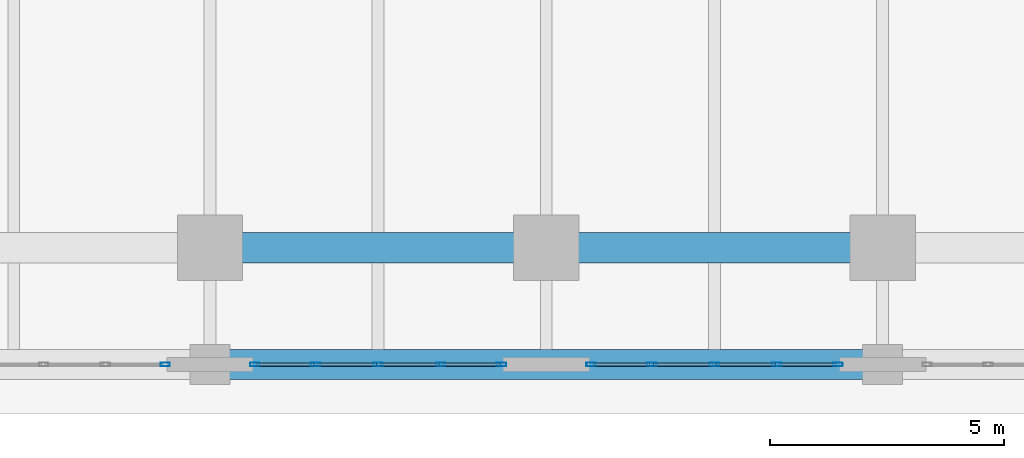
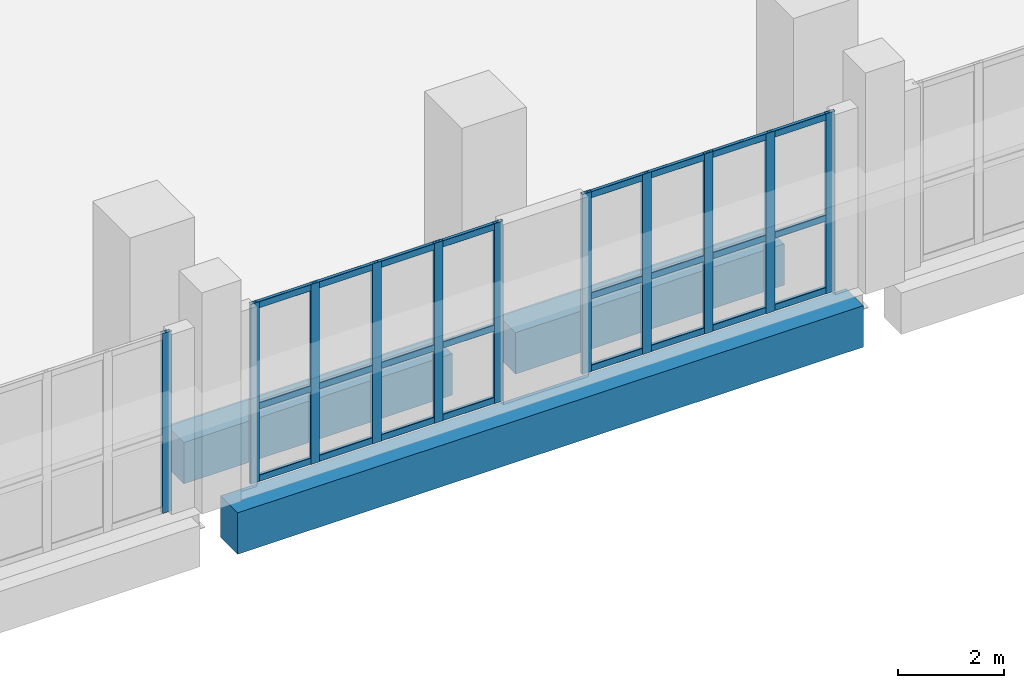
# One storey, part 11 of 25: 35 members, 3 beams, 3 elements without a shape of their own.
"""IFC4 building model written with IfcOpenShell, lengths in metres."""

from ifc_helpers import new_model, si_unit, direction, frame, origin, origin_2d, place, context, subcontext, project, spatial, rectangle, hollow_rectangle, extrude, material, layer, layer_set, material_profile, profile_set, type_object, element, aggregate, save


model = new_model("IFC4")

# Units and contexts
model_context = context("Model", 3, precision=1e-05, world=origin(), true_north=direction((0.0, 1.0)))
body_context = subcontext(model_context, "Body", "Model", "MODEL_VIEW")
ifc_project = project(units=[si_unit("LENGTHUNIT", "METRE"), si_unit("AREAUNIT", "SQUARE_METRE"), si_unit("VOLUMEUNIT", "CUBIC_METRE"), si_unit("PLANEANGLEUNIT", "RADIAN"), si_unit("MASSUNIT", "GRAM", prefix="KILO")], contexts=[model_context])

# Site, building, storey
site_placement = place(None, origin())
site = spatial("IfcSite", under=ifc_project, at=site_placement, CompositionType="ELEMENT")
building_placement = place(site_placement, origin())
building = spatial("IfcBuilding", under=site, at=building_placement, Name="Kaelvorn Grand Hotel", CompositionType="ELEMENT")
storey_placement = place(building_placement, frame((0.0, 0.0, 14.0)))
storey = spatial("IfcBuildingStorey", under=building, at=storey_placement, Name="L02", CompositionType="ELEMENT", Elevation=14.0)

# Beams
ifc_material_1 = material(Name="Concrete C60/75", Category="concrete")
ifc_material_profile_1 = material_profile(ifc_material_1, rectangle(XDim=0.64990234375, YDim=0.949951171875, at=origin_2d()), Name="RC SPANDREL 650x950")
ifc_profile_set_1 = profile_set([ifc_material_profile_1], Name="Concrete C60/75")
beam_type = type_object("IfcBeamType", Name="BM-SP-650x950-C60", PredefinedType="SPANDREL", material=ifc_profile_set_1)
beam_placement = place(storey_placement, frame((46.610107421875, -2.5, -0.794921875), z_axis=(1.0, 0.0, 0.0), x_axis=(0.0, 1.0, 0.0)))
element("IfcBeam", 1, at=beam_placement, inside=storey, type_object=beam_type, Name="L02 South Perimeter Spandrel 05", PredefinedType="SPANDREL", context=body_context, shape_type="SweptSolid", body=[
    extrude(rectangle(XDim=0.64990234375, YDim=0.949951171875, at=origin_2d()), origin(), (0.0, 0.0, 1.0), 13.579833984375),
])
for number, where, z_axis, x_axis, name in (
    (2, (46.885009765625, 0.0, -0.794921875), (1.0, 0.0, 0.0), (0.0, 1.0, 0.0), "L02 Tower Line South Girder 06"),
    (3, (54.0849609375, 0.0, -0.794921875), (1.0, 0.0, 0.0), (0.0, 1.0, 0.0), "L02 Tower Line South Girder 07"),
):
    element("IfcBeam", number, at=place(storey_placement, frame(where, z_axis=z_axis, x_axis=x_axis)), inside=storey, type_object=beam_type, Name=name, PredefinedType="SPANDREL", context=body_context, shape_type="SweptSolid", body=[
        extrude(rectangle(XDim=0.64990234375, YDim=0.949951171875, at=origin_2d()), origin(), (0.0, 0.0, 1.0), 5.830078125),
    ])

# Curtain wall, member
ifc_material_2 = material(Name="Anodised Aluminium", Category="aluminium")
ifc_layer = layer(ifc_material_2, 0.199951171875)
ifc_layer_set = layer_set([ifc_layer], Name="Anodised Aluminium")
curtain_wall_type = type_object("IfcCurtainWallType", Name="CW-SYS2", PredefinedType="NOTDEFINED", material=ifc_layer_set)
curtain_wall_1_placement = place(storey_placement, origin())
curtain_wall_1 = element("IfcCurtainWall", 4, at=curtain_wall_1_placement, inside=storey, type_object=curtain_wall_type, Name="L02 Unitised Curtain Wall CW2 (CW-L02-S-04)", PredefinedType="NOTDEFINED")
ifc_material_profile_2 = material_profile(ifc_material_2, hollow_rectangle(XDim=0.074951171875, YDim=0.199951171875, WallThickness=0.00390625, InnerFilletRadius=0.00390625, OuterFilletRadius=0.008056640625, at=origin_2d()), Name="ALU MULL 75x200")
ifc_profile_set_2 = profile_set([ifc_material_profile_2], Name="Anodised Aluminium")
member_type_1 = type_object("IfcMemberType", Name="CW-SYS2-MULL", PredefinedType="MULLION", material=ifc_profile_set_2)
member_1_placement = place(storey_placement, frame((45.242431640625, -2.5, 0.0), z_axis=(0.0, 0.0, 1.0), x_axis=(0.0, 1.0, 0.0)))
member_1 = element("IfcMember", 5, at=member_1_placement, type_object=member_type_1, Name="CW2 mullion 4", PredefinedType="MULLION", context=body_context, shape_type="SweptSolid", body=[
    extrude(hollow_rectangle(XDim=0.074951171875, YDim=0.199951171875, WallThickness=0.00390625, InnerFilletRadius=0.00390625, OuterFilletRadius=0.008056640625, at=origin_2d()), origin(), (0.0, 0.0, 1.0), 4.1298828125),
])
aggregate(curtain_wall_1, [member_1])

# Curtain wall, members
curtain_wall_2_placement = place(storey_placement, origin())
curtain_wall_2 = element("IfcCurtainWall", 6, at=curtain_wall_2_placement, inside=storey, type_object=curtain_wall_type, Name="L02 Unitised Curtain Wall CW2 (CW-L02-S-05)", PredefinedType="NOTDEFINED")
member_2_placement = place(storey_placement, frame((47.157470703125, -2.5, 0.0), z_axis=(0.0, 0.0, 1.0), x_axis=(0.0, 1.0, 0.0)))
member_2 = element("IfcMember", 7, at=member_2_placement, type_object=member_type_1, Name="CW2 mullion 1", PredefinedType="MULLION", context=body_context, shape_type="SweptSolid", body=[
    extrude(hollow_rectangle(XDim=0.074951171875, YDim=0.199951171875, WallThickness=0.00390625, InnerFilletRadius=0.00390625, OuterFilletRadius=0.008056640625, at=origin_2d()), origin(), (0.0, 0.0, 1.0), 4.1298828125),
])
member_3_placement = place(storey_placement, frame((48.4599609375, -2.5, 0.0), z_axis=(0.0, 0.0, 1.0), x_axis=(0.0, 1.0, 0.0)))
member_3 = element("IfcMember", 8, at=member_3_placement, type_object=member_type_1, Name="CW2 mullion 2", PredefinedType="MULLION", context=body_context, shape_type="SweptSolid", body=[
    extrude(hollow_rectangle(XDim=0.074951171875, YDim=0.199951171875, WallThickness=0.00390625, InnerFilletRadius=0.00390625, OuterFilletRadius=0.008056640625, at=origin_2d()), origin(), (0.0, 0.0, 1.0), 4.1298828125),
])
member_4_placement = place(storey_placement, frame((49.800048828125, -2.5, 0.0), z_axis=(0.0, 0.0, 1.0), x_axis=(0.0, 1.0, 0.0)))
member_4 = element("IfcMember", 9, at=member_4_placement, type_object=member_type_1, Name="CW2 mullion 3", PredefinedType="MULLION", context=body_context, shape_type="SweptSolid", body=[
    extrude(hollow_rectangle(XDim=0.074951171875, YDim=0.199951171875, WallThickness=0.00390625, InnerFilletRadius=0.00390625, OuterFilletRadius=0.008056640625, at=origin_2d()), origin(), (0.0, 0.0, 1.0), 4.1298828125),
])
member_5_placement = place(storey_placement, frame((51.139892578125, -2.5, 0.0), z_axis=(0.0, 0.0, 1.0), x_axis=(0.0, 1.0, 0.0)))
member_5 = element("IfcMember", 10, at=member_5_placement, type_object=member_type_1, Name="CW2 mullion 4", PredefinedType="MULLION", context=body_context, shape_type="SweptSolid", body=[
    extrude(hollow_rectangle(XDim=0.074951171875, YDim=0.199951171875, WallThickness=0.00390625, InnerFilletRadius=0.00390625, OuterFilletRadius=0.008056640625, at=origin_2d()), origin(), (0.0, 0.0, 1.0), 4.1298828125),
])
member_6_placement = place(storey_placement, frame((52.4423828125, -2.5, 0.0), z_axis=(0.0, 0.0, 1.0), x_axis=(0.0, 1.0, 0.0)))
member_6 = element("IfcMember", 11, at=member_6_placement, type_object=member_type_1, Name="CW2 mullion 5", PredefinedType="MULLION", context=body_context, shape_type="SweptSolid", body=[
    extrude(hollow_rectangle(XDim=0.074951171875, YDim=0.199951171875, WallThickness=0.00390625, InnerFilletRadius=0.00390625, OuterFilletRadius=0.008056640625, at=origin_2d()), origin(), (0.0, 0.0, 1.0), 4.1298828125),
])

curtain_wall_3_placement = place(storey_placement, origin())
curtain_wall_3 = element("IfcCurtainWall", 12, at=curtain_wall_3_placement, inside=storey, type_object=curtain_wall_type, Name="L02 Unitised Curtain Wall CW2 (CW-L02-S-06)", PredefinedType="NOTDEFINED")
member_7_placement = place(storey_placement, frame((54.357421875, -2.5, 0.0), z_axis=(0.0, 0.0, 1.0), x_axis=(0.0, 1.0, 0.0)))
member_7 = element("IfcMember", 13, at=member_7_placement, type_object=member_type_1, Name="CW2 mullion 1", PredefinedType="MULLION", context=body_context, shape_type="SweptSolid", body=[
    extrude(hollow_rectangle(XDim=0.074951171875, YDim=0.199951171875, WallThickness=0.00390625, InnerFilletRadius=0.00390625, OuterFilletRadius=0.008056640625, at=origin_2d()), origin(), (0.0, 0.0, 1.0), 4.1298828125),
])
member_8_placement = place(storey_placement, frame((55.659912109375, -2.5, 0.0), z_axis=(0.0, 0.0, 1.0), x_axis=(0.0, 1.0, 0.0)))
member_8 = element("IfcMember", 14, at=member_8_placement, type_object=member_type_1, Name="CW2 mullion 2", PredefinedType="MULLION", context=body_context, shape_type="SweptSolid", body=[
    extrude(hollow_rectangle(XDim=0.074951171875, YDim=0.199951171875, WallThickness=0.00390625, InnerFilletRadius=0.00390625, OuterFilletRadius=0.008056640625, at=origin_2d()), origin(), (0.0, 0.0, 1.0), 4.1298828125),
])
member_9_placement = place(storey_placement, frame((57.0, -2.5, 0.0), z_axis=(0.0, 0.0, 1.0), x_axis=(0.0, 1.0, 0.0)))
member_9 = element("IfcMember", 15, at=member_9_placement, type_object=member_type_1, Name="CW2 mullion 3", PredefinedType="MULLION", context=body_context, shape_type="SweptSolid", body=[
    extrude(hollow_rectangle(XDim=0.074951171875, YDim=0.199951171875, WallThickness=0.00390625, InnerFilletRadius=0.00390625, OuterFilletRadius=0.008056640625, at=origin_2d()), origin(), (0.0, 0.0, 1.0), 4.1298828125),
])
member_10_placement = place(storey_placement, frame((58.340087890625, -2.5, 0.0), z_axis=(0.0, 0.0, 1.0), x_axis=(0.0, 1.0, 0.0)))
member_10 = element("IfcMember", 16, at=member_10_placement, type_object=member_type_1, Name="CW2 mullion 4", PredefinedType="MULLION", context=body_context, shape_type="SweptSolid", body=[
    extrude(hollow_rectangle(XDim=0.074951171875, YDim=0.199951171875, WallThickness=0.00390625, InnerFilletRadius=0.00390625, OuterFilletRadius=0.008056640625, at=origin_2d()), origin(), (0.0, 0.0, 1.0), 4.1298828125),
])
member_11_placement = place(storey_placement, frame((59.642578125, -2.5, 0.0), z_axis=(0.0, 0.0, 1.0), x_axis=(0.0, 1.0, 0.0)))
member_11 = element("IfcMember", 17, at=member_11_placement, type_object=member_type_1, Name="CW2 mullion 5", PredefinedType="MULLION", context=body_context, shape_type="SweptSolid", body=[
    extrude(hollow_rectangle(XDim=0.074951171875, YDim=0.199951171875, WallThickness=0.00390625, InnerFilletRadius=0.00390625, OuterFilletRadius=0.008056640625, at=origin_2d()), origin(), (0.0, 0.0, 1.0), 4.1298828125),
])

# Member
ifc_material_profile_3 = material_profile(ifc_material_2, hollow_rectangle(XDim=0.074951171875, YDim=0.14990234375, WallThickness=0.00390625, InnerFilletRadius=0.00390625, OuterFilletRadius=0.008056640625, at=origin_2d()), Name="ALU TRAN 75x150")
ifc_profile_set_3 = profile_set([ifc_material_profile_3], Name="Anodised Aluminium")
member_type_2 = type_object("IfcMemberType", Name="CW-SYS2-TRAN", PredefinedType="NOTDEFINED", material=ifc_profile_set_3)
member_12_placement = place(storey_placement, frame((47.195068359375, -2.5, 0.074951171875), z_axis=(1.0, 0.0, 0.0), x_axis=(0.0, 1.0, 0.0)))
member_12 = element("IfcMember", 18, at=member_12_placement, type_object=member_type_2, Name="CW2 transom 1.1", ObjectType="TRANSOM", PredefinedType="USERDEFINED", context=body_context, shape_type="SweptSolid", body=[
    extrude(hollow_rectangle(XDim=0.074951171875, YDim=0.14990234375, WallThickness=0.00390625, InnerFilletRadius=0.00390625, OuterFilletRadius=0.008056640625, at=origin_2d()), origin(), (0.0, 0.0, 1.0), 1.2275390625),
])

member_13_placement = place(storey_placement, frame((47.195068359375, -2.5, 1.734619140625), z_axis=(1.0, 0.0, 0.0), x_axis=(0.0, 1.0, 0.0)))
member_13 = element("IfcMember", 19, at=member_13_placement, type_object=member_type_2, Name="CW2 transom 1.2", ObjectType="TRANSOM", PredefinedType="USERDEFINED", context=body_context, shape_type="SweptSolid", body=[
    extrude(hollow_rectangle(XDim=0.074951171875, YDim=0.14990234375, WallThickness=0.00390625, InnerFilletRadius=0.00390625, OuterFilletRadius=0.008056640625, at=origin_2d()), origin(), (0.0, 0.0, 1.0), 1.2275390625),
])

member_14_placement = place(storey_placement, frame((47.195068359375, -2.5, 4.054931640625), z_axis=(1.0, 0.0, 0.0), x_axis=(0.0, 1.0, 0.0)))
member_14 = element("IfcMember", 20, at=member_14_placement, type_object=member_type_2, Name="CW2 transom 1.3", ObjectType="TRANSOM", PredefinedType="USERDEFINED", context=body_context, shape_type="SweptSolid", body=[
    extrude(hollow_rectangle(XDim=0.074951171875, YDim=0.14990234375, WallThickness=0.00390625, InnerFilletRadius=0.00390625, OuterFilletRadius=0.008056640625, at=origin_2d()), origin(), (0.0, 0.0, 1.0), 1.2275390625),
])

member_15_placement = place(storey_placement, frame((48.49755859375, -2.5, 0.074951171875), z_axis=(1.0, 0.0, 0.0), x_axis=(0.0, 1.0, 0.0)))
member_15 = element("IfcMember", 21, at=member_15_placement, type_object=member_type_2, Name="CW2 transom 2.1", ObjectType="TRANSOM", PredefinedType="USERDEFINED", context=body_context, shape_type="SweptSolid", body=[
    extrude(hollow_rectangle(XDim=0.074951171875, YDim=0.14990234375, WallThickness=0.00390625, InnerFilletRadius=0.00390625, OuterFilletRadius=0.008056640625, at=origin_2d()), origin(), (0.0, 0.0, 1.0), 1.264892578125),
])

member_16_placement = place(storey_placement, frame((48.49755859375, -2.5, 1.734619140625), z_axis=(1.0, 0.0, 0.0), x_axis=(0.0, 1.0, 0.0)))
member_16 = element("IfcMember", 22, at=member_16_placement, type_object=member_type_2, Name="CW2 transom 2.2", ObjectType="TRANSOM", PredefinedType="USERDEFINED", context=body_context, shape_type="SweptSolid", body=[
    extrude(hollow_rectangle(XDim=0.074951171875, YDim=0.14990234375, WallThickness=0.00390625, InnerFilletRadius=0.00390625, OuterFilletRadius=0.008056640625, at=origin_2d()), origin(), (0.0, 0.0, 1.0), 1.264892578125),
])

member_17_placement = place(storey_placement, frame((48.49755859375, -2.5, 4.054931640625), z_axis=(1.0, 0.0, 0.0), x_axis=(0.0, 1.0, 0.0)))
member_17 = element("IfcMember", 23, at=member_17_placement, type_object=member_type_2, Name="CW2 transom 2.3", ObjectType="TRANSOM", PredefinedType="USERDEFINED", context=body_context, shape_type="SweptSolid", body=[
    extrude(hollow_rectangle(XDim=0.074951171875, YDim=0.14990234375, WallThickness=0.00390625, InnerFilletRadius=0.00390625, OuterFilletRadius=0.008056640625, at=origin_2d()), origin(), (0.0, 0.0, 1.0), 1.264892578125),
])

member_18_placement = place(storey_placement, frame((49.83740234375, -2.5, 0.074951171875), z_axis=(1.0, 0.0, 0.0), x_axis=(0.0, 1.0, 0.0)))
member_18 = element("IfcMember", 24, at=member_18_placement, type_object=member_type_2, Name="CW2 transom 3.1", ObjectType="TRANSOM", PredefinedType="USERDEFINED", context=body_context, shape_type="SweptSolid", body=[
    extrude(hollow_rectangle(XDim=0.074951171875, YDim=0.14990234375, WallThickness=0.00390625, InnerFilletRadius=0.00390625, OuterFilletRadius=0.008056640625, at=origin_2d()), origin(), (0.0, 0.0, 1.0), 1.26513671875),
])

member_19_placement = place(storey_placement, frame((49.83740234375, -2.5, 1.734619140625), z_axis=(1.0, 0.0, 0.0), x_axis=(0.0, 1.0, 0.0)))
member_19 = element("IfcMember", 25, at=member_19_placement, type_object=member_type_2, Name="CW2 transom 3.2", ObjectType="TRANSOM", PredefinedType="USERDEFINED", context=body_context, shape_type="SweptSolid", body=[
    extrude(hollow_rectangle(XDim=0.074951171875, YDim=0.14990234375, WallThickness=0.00390625, InnerFilletRadius=0.00390625, OuterFilletRadius=0.008056640625, at=origin_2d()), origin(), (0.0, 0.0, 1.0), 1.26513671875),
])

member_20_placement = place(storey_placement, frame((49.83740234375, -2.5, 4.054931640625), z_axis=(1.0, 0.0, 0.0), x_axis=(0.0, 1.0, 0.0)))
member_20 = element("IfcMember", 26, at=member_20_placement, type_object=member_type_2, Name="CW2 transom 3.3", ObjectType="TRANSOM", PredefinedType="USERDEFINED", context=body_context, shape_type="SweptSolid", body=[
    extrude(hollow_rectangle(XDim=0.074951171875, YDim=0.14990234375, WallThickness=0.00390625, InnerFilletRadius=0.00390625, OuterFilletRadius=0.008056640625, at=origin_2d()), origin(), (0.0, 0.0, 1.0), 1.26513671875),
])

member_21_placement = place(storey_placement, frame((51.177490234375, -2.5, 0.074951171875), z_axis=(1.0, 0.0, 0.0), x_axis=(0.0, 1.0, 0.0)))
member_21 = element("IfcMember", 27, at=member_21_placement, type_object=member_type_2, Name="CW2 transom 4.1", ObjectType="TRANSOM", PredefinedType="USERDEFINED", context=body_context, shape_type="SweptSolid", body=[
    extrude(hollow_rectangle(XDim=0.074951171875, YDim=0.14990234375, WallThickness=0.00390625, InnerFilletRadius=0.00390625, OuterFilletRadius=0.008056640625, at=origin_2d()), origin(), (0.0, 0.0, 1.0), 1.2275390625),
])

member_22_placement = place(storey_placement, frame((51.177490234375, -2.5, 1.734619140625), z_axis=(1.0, 0.0, 0.0), x_axis=(0.0, 1.0, 0.0)))
member_22 = element("IfcMember", 28, at=member_22_placement, type_object=member_type_2, Name="CW2 transom 4.2", ObjectType="TRANSOM", PredefinedType="USERDEFINED", context=body_context, shape_type="SweptSolid", body=[
    extrude(hollow_rectangle(XDim=0.074951171875, YDim=0.14990234375, WallThickness=0.00390625, InnerFilletRadius=0.00390625, OuterFilletRadius=0.008056640625, at=origin_2d()), origin(), (0.0, 0.0, 1.0), 1.2275390625),
])

member_23_placement = place(storey_placement, frame((51.177490234375, -2.5, 4.054931640625), z_axis=(1.0, 0.0, 0.0), x_axis=(0.0, 1.0, 0.0)))
member_23 = element("IfcMember", 29, at=member_23_placement, type_object=member_type_2, Name="CW2 transom 4.3", ObjectType="TRANSOM", PredefinedType="USERDEFINED", context=body_context, shape_type="SweptSolid", body=[
    extrude(hollow_rectangle(XDim=0.074951171875, YDim=0.14990234375, WallThickness=0.00390625, InnerFilletRadius=0.00390625, OuterFilletRadius=0.008056640625, at=origin_2d()), origin(), (0.0, 0.0, 1.0), 1.2275390625),
])

aggregate(curtain_wall_2, [member_2, member_3, member_4, member_5, member_6, member_12, member_13, member_14, member_15, member_16, member_17, member_18, member_19, member_20, member_21, member_22, member_23])

member_24_placement = place(storey_placement, frame((54.39501953125, -2.5, 0.074951171875), z_axis=(1.0, 0.0, 0.0), x_axis=(0.0, 1.0, 0.0)))
member_24 = element("IfcMember", 30, at=member_24_placement, type_object=member_type_2, Name="CW2 transom 1.1", ObjectType="TRANSOM", PredefinedType="USERDEFINED", context=body_context, shape_type="SweptSolid", body=[
    extrude(hollow_rectangle(XDim=0.074951171875, YDim=0.14990234375, WallThickness=0.00390625, InnerFilletRadius=0.00390625, OuterFilletRadius=0.008056640625, at=origin_2d()), origin(), (0.0, 0.0, 1.0), 1.2275390625),
])

member_25_placement = place(storey_placement, frame((54.39501953125, -2.5, 1.734619140625), z_axis=(1.0, 0.0, 0.0), x_axis=(0.0, 1.0, 0.0)))
member_25 = element("IfcMember", 31, at=member_25_placement, type_object=member_type_2, Name="CW2 transom 1.2", ObjectType="TRANSOM", PredefinedType="USERDEFINED", context=body_context, shape_type="SweptSolid", body=[
    extrude(hollow_rectangle(XDim=0.074951171875, YDim=0.14990234375, WallThickness=0.00390625, InnerFilletRadius=0.00390625, OuterFilletRadius=0.008056640625, at=origin_2d()), origin(), (0.0, 0.0, 1.0), 1.2275390625),
])

member_26_placement = place(storey_placement, frame((54.39501953125, -2.5, 4.054931640625), z_axis=(1.0, 0.0, 0.0), x_axis=(0.0, 1.0, 0.0)))
member_26 = element("IfcMember", 32, at=member_26_placement, type_object=member_type_2, Name="CW2 transom 1.3", ObjectType="TRANSOM", PredefinedType="USERDEFINED", context=body_context, shape_type="SweptSolid", body=[
    extrude(hollow_rectangle(XDim=0.074951171875, YDim=0.14990234375, WallThickness=0.00390625, InnerFilletRadius=0.00390625, OuterFilletRadius=0.008056640625, at=origin_2d()), origin(), (0.0, 0.0, 1.0), 1.2275390625),
])

member_27_placement = place(storey_placement, frame((55.697509765625, -2.5, 0.074951171875), z_axis=(1.0, 0.0, 0.0), x_axis=(0.0, 1.0, 0.0)))
member_27 = element("IfcMember", 33, at=member_27_placement, type_object=member_type_2, Name="CW2 transom 2.1", ObjectType="TRANSOM", PredefinedType="USERDEFINED", context=body_context, shape_type="SweptSolid", body=[
    extrude(hollow_rectangle(XDim=0.074951171875, YDim=0.14990234375, WallThickness=0.00390625, InnerFilletRadius=0.00390625, OuterFilletRadius=0.008056640625, at=origin_2d()), origin(), (0.0, 0.0, 1.0), 1.264892578125),
])

member_28_placement = place(storey_placement, frame((55.697509765625, -2.5, 1.734619140625), z_axis=(1.0, 0.0, 0.0), x_axis=(0.0, 1.0, 0.0)))
member_28 = element("IfcMember", 34, at=member_28_placement, type_object=member_type_2, Name="CW2 transom 2.2", ObjectType="TRANSOM", PredefinedType="USERDEFINED", context=body_context, shape_type="SweptSolid", body=[
    extrude(hollow_rectangle(XDim=0.074951171875, YDim=0.14990234375, WallThickness=0.00390625, InnerFilletRadius=0.00390625, OuterFilletRadius=0.008056640625, at=origin_2d()), origin(), (0.0, 0.0, 1.0), 1.264892578125),
])

member_29_placement = place(storey_placement, frame((55.697509765625, -2.5, 4.054931640625), z_axis=(1.0, 0.0, 0.0), x_axis=(0.0, 1.0, 0.0)))
member_29 = element("IfcMember", 35, at=member_29_placement, type_object=member_type_2, Name="CW2 transom 2.3", ObjectType="TRANSOM", PredefinedType="USERDEFINED", context=body_context, shape_type="SweptSolid", body=[
    extrude(hollow_rectangle(XDim=0.074951171875, YDim=0.14990234375, WallThickness=0.00390625, InnerFilletRadius=0.00390625, OuterFilletRadius=0.008056640625, at=origin_2d()), origin(), (0.0, 0.0, 1.0), 1.264892578125),
])

member_30_placement = place(storey_placement, frame((57.03759765625, -2.5, 0.074951171875), z_axis=(1.0, 0.0, 0.0), x_axis=(0.0, 1.0, 0.0)))
member_30 = element("IfcMember", 36, at=member_30_placement, type_object=member_type_2, Name="CW2 transom 3.1", ObjectType="TRANSOM", PredefinedType="USERDEFINED", context=body_context, shape_type="SweptSolid", body=[
    extrude(hollow_rectangle(XDim=0.074951171875, YDim=0.14990234375, WallThickness=0.00390625, InnerFilletRadius=0.00390625, OuterFilletRadius=0.008056640625, at=origin_2d()), origin(), (0.0, 0.0, 1.0), 1.264892578125),
])

member_31_placement = place(storey_placement, frame((57.03759765625, -2.5, 1.734619140625), z_axis=(1.0, 0.0, 0.0), x_axis=(0.0, 1.0, 0.0)))
member_31 = element("IfcMember", 37, at=member_31_placement, type_object=member_type_2, Name="CW2 transom 3.2", ObjectType="TRANSOM", PredefinedType="USERDEFINED", context=body_context, shape_type="SweptSolid", body=[
    extrude(hollow_rectangle(XDim=0.074951171875, YDim=0.14990234375, WallThickness=0.00390625, InnerFilletRadius=0.00390625, OuterFilletRadius=0.008056640625, at=origin_2d()), origin(), (0.0, 0.0, 1.0), 1.264892578125),
])

member_32_placement = place(storey_placement, frame((57.03759765625, -2.5, 4.054931640625), z_axis=(1.0, 0.0, 0.0), x_axis=(0.0, 1.0, 0.0)))
member_32 = element("IfcMember", 38, at=member_32_placement, type_object=member_type_2, Name="CW2 transom 3.3", ObjectType="TRANSOM", PredefinedType="USERDEFINED", context=body_context, shape_type="SweptSolid", body=[
    extrude(hollow_rectangle(XDim=0.074951171875, YDim=0.14990234375, WallThickness=0.00390625, InnerFilletRadius=0.00390625, OuterFilletRadius=0.008056640625, at=origin_2d()), origin(), (0.0, 0.0, 1.0), 1.264892578125),
])

member_33_placement = place(storey_placement, frame((58.37744140625, -2.5, 0.074951171875), z_axis=(1.0, 0.0, 0.0), x_axis=(0.0, 1.0, 0.0)))
member_33 = element("IfcMember", 39, at=member_33_placement, type_object=member_type_2, Name="CW2 transom 4.1", ObjectType="TRANSOM", PredefinedType="USERDEFINED", context=body_context, shape_type="SweptSolid", body=[
    extrude(hollow_rectangle(XDim=0.074951171875, YDim=0.14990234375, WallThickness=0.00390625, InnerFilletRadius=0.00390625, OuterFilletRadius=0.008056640625, at=origin_2d()), origin(), (0.0, 0.0, 1.0), 1.2275390625),
])

member_34_placement = place(storey_placement, frame((58.37744140625, -2.5, 1.734619140625), z_axis=(1.0, 0.0, 0.0), x_axis=(0.0, 1.0, 0.0)))
member_34 = element("IfcMember", 40, at=member_34_placement, type_object=member_type_2, Name="CW2 transom 4.2", ObjectType="TRANSOM", PredefinedType="USERDEFINED", context=body_context, shape_type="SweptSolid", body=[
    extrude(hollow_rectangle(XDim=0.074951171875, YDim=0.14990234375, WallThickness=0.00390625, InnerFilletRadius=0.00390625, OuterFilletRadius=0.008056640625, at=origin_2d()), origin(), (0.0, 0.0, 1.0), 1.2275390625),
])

member_35_placement = place(storey_placement, frame((58.37744140625, -2.5, 4.054931640625), z_axis=(1.0, 0.0, 0.0), x_axis=(0.0, 1.0, 0.0)))
member_35 = element("IfcMember", 41, at=member_35_placement, type_object=member_type_2, Name="CW2 transom 4.3", ObjectType="TRANSOM", PredefinedType="USERDEFINED", context=body_context, shape_type="SweptSolid", body=[
    extrude(hollow_rectangle(XDim=0.074951171875, YDim=0.14990234375, WallThickness=0.00390625, InnerFilletRadius=0.00390625, OuterFilletRadius=0.008056640625, at=origin_2d()), origin(), (0.0, 0.0, 1.0), 1.2275390625),
])

aggregate(curtain_wall_3, [member_7, member_8, member_9, member_10, member_11, member_24, member_25, member_26, member_27, member_28, member_29, member_30, member_31, member_32, member_33, member_34, member_35])

save(model, "model.ifc")
